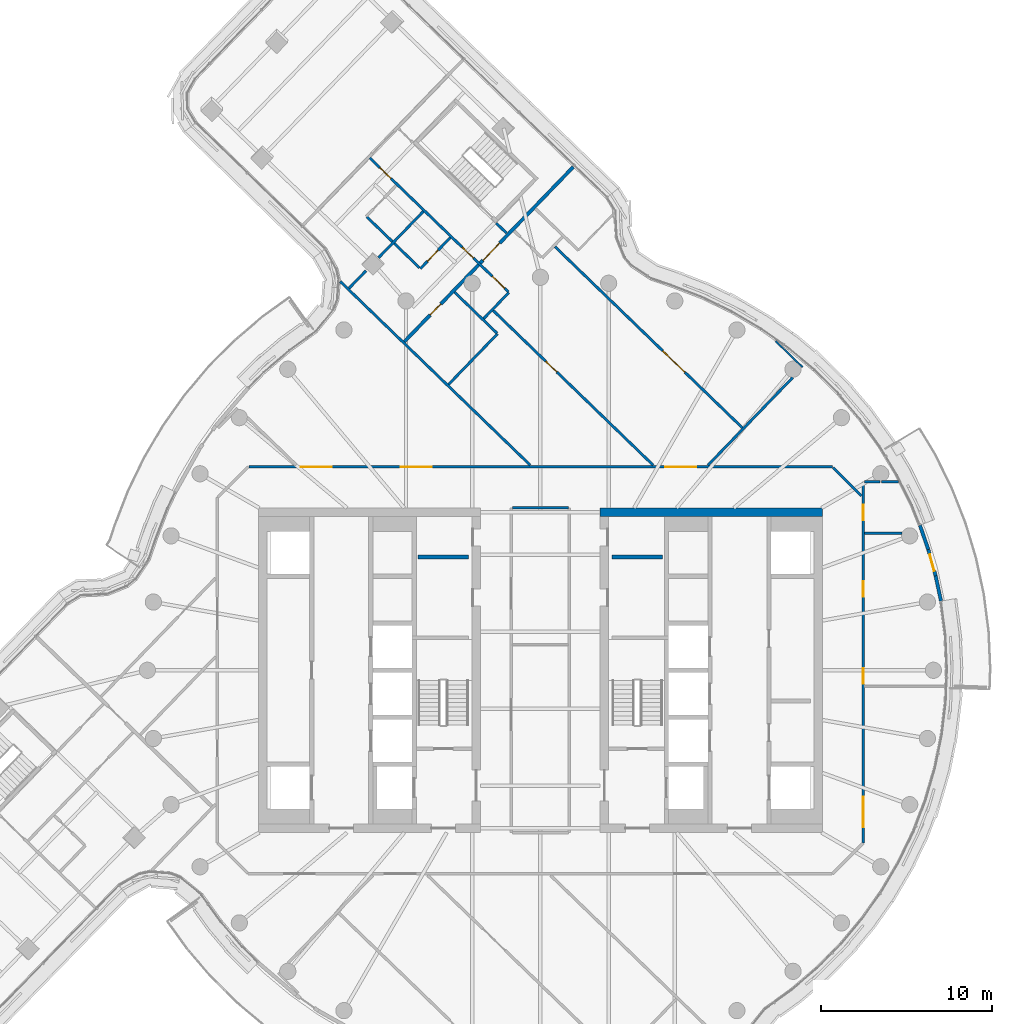
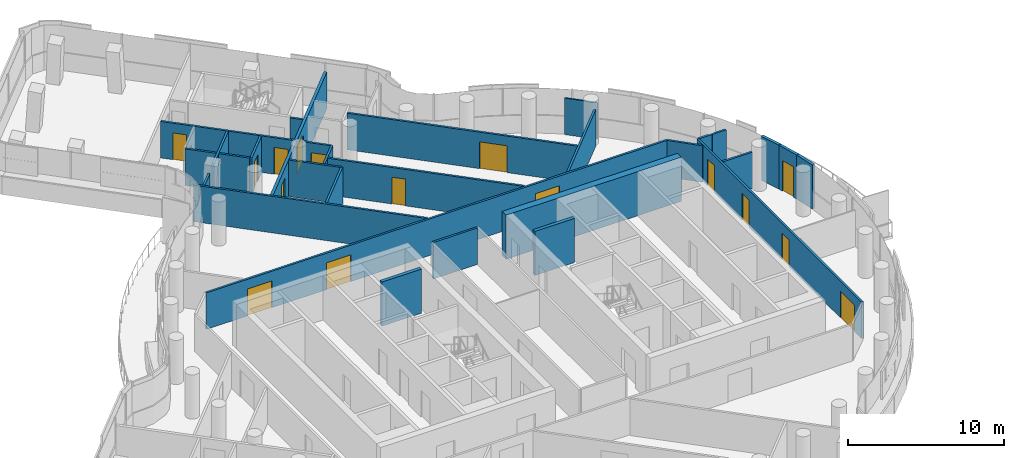
# One storey, part 22 of 31: 28 walls, 16 doors, 16 openings.
"""IFC4 building model written with IfcOpenShell, lengths in metres."""

from ifc_helpers import new_model, si_unit, direction, frame, frame_2d, origin, place, context, subcontext, project, spatial, rectangle, extrude, material, layer, layer_set, type_object, element, fill, save


model = new_model("IFC4")

# Units and contexts
model_context = context("Model", 3, precision=1e-05, world=origin(), true_north=direction((0.0, 1.0)))
body_context = subcontext(model_context, "Body", "Model", "MODEL_VIEW")
ifc_project = project(units=[si_unit("LENGTHUNIT", "METRE"), si_unit("AREAUNIT", "SQUARE_METRE"), si_unit("VOLUMEUNIT", "CUBIC_METRE"), si_unit("PLANEANGLEUNIT", "RADIAN"), si_unit("MASSUNIT", "GRAM", prefix="KILO")], contexts=[model_context])

# Site, building, storey
site_placement = place(None, origin())
site = spatial("IfcSite", under=ifc_project, at=site_placement, CompositionType="ELEMENT")
building_placement = place(site_placement, origin())
building = spatial("IfcBuilding", under=site, at=building_placement, Name="Tamarind Cross Interchange Tower", CompositionType="ELEMENT")
storey_placement = place(building_placement, frame((0.0, 0.0, 200.5)))
storey = spatial("IfcBuildingStorey", under=building, at=storey_placement, Name="L50", CompositionType="ELEMENT", Elevation=200.5)

# Walls
ifc_material_1 = material(Name="Concrete C40", Category="concrete")
ifc_layer_1 = layer(ifc_material_1, 0.199951171875)
ifc_layer_set_1 = layer_set([ifc_layer_1], Name="Concrete C40")
wall_type_1 = type_object("IfcWallType", Name="Balcony and garden door wall", PredefinedType="SOLIDWALL", material=ifc_layer_set_1)
wall_1_placement = place(storey_placement, frame((23.447265625, 4.04931640625, 0.0), z_axis=(0.0, 0.0, 1.0), x_axis=(-0.209319188687, 0.977847369096, 0.0)))
element("IfcWall", 1, at=wall_1_placement, inside=storey, type_object=wall_type_1, Name="EXW-L50-06-D07L", PredefinedType="SOLIDWALL", context=body_context, shape_type="SweptSolid", body=[
    extrude(rectangle(XDim=1.50927734375, YDim=0.199951171875, at=frame_2d((0.754638671875, 0.0))), origin(), (0.0, 0.0, 1.0), 3.4599609375),
])
wall_2_placement = place(storey_placement, frame((22.7021484375, 7.0654296875, 0.0), z_axis=(0.0, 0.0, 1.0), x_axis=(-0.326893678877, 0.945061121151, 0.0)))
element("IfcWall", 2, at=wall_2_placement, inside=storey, type_object=wall_type_1, Name="EXW-L50-06-D07R", PredefinedType="SOLIDWALL", context=body_context, shape_type="SweptSolid", body=[
    extrude(rectangle(XDim=1.5078125, YDim=0.199951171875, at=frame_2d((0.75390625, 0.0))), origin(), (0.0, 0.0, 1.0), 3.4599609375),
])

# Wall, opening, door
wall_3_placement = place(storey_placement, frame((23.13134765625, 5.525146484375, 0.0), z_axis=(0.0, 0.0, 1.0), x_axis=(-0.268423397607, 0.963301032708, 0.0)))
wall_3 = element("IfcWall", 3, at=wall_3_placement, inside=storey, type_object=wall_type_1, Name="EXW-L50-06-D07", PredefinedType="SOLIDWALL", context=body_context, shape_type="SweptSolid", body=[
    extrude(rectangle(XDim=1.598876953125, YDim=0.199951171875, at=frame_2d((0.79931640625, 0.0))), origin(), (0.0, 0.0, 1.0), 3.4599609375),
])
opening_1_placement = place(wall_3_placement, frame((0.299560546875, 0.0, 0.0)))
opening_1 = element("IfcOpeningElement", 4, at=opening_1_placement, cuts=wall_3, Name="Opening D2", PredefinedType="OPENING", context=body_context, shape_type="SweptSolid", body=[
    extrude(rectangle(XDim=1.0, YDim=2.39990234375, at=frame_2d((0.5, 1.199951171875))), frame((0.0, 0.10986328125, 0.0), z_axis=(0.0, -1.0, 0.0), x_axis=(1.0, 0.0, 0.0)), (0.0, 0.0, 1.0), 0.219970703125),
])
ifc_material_2 = material(Name="Aluminium and toughened glass", Category="aluminium")
door_type_1 = type_object("IfcDoorType", Name="Balcony and garden door", OperationType="SINGLE_SWING_LEFT", PredefinedType="DOOR", material=ifc_material_2)
door_1_placement = place(opening_1_placement, origin())
door_1 = element("IfcDoor", 5, at=door_1_placement, inside=storey, type_object=door_type_1, Name="DOR-L50-06-07", OperationType="SINGLE_SWING_LEFT", OverallHeight=2.39990234375, OverallWidth=1.0, PredefinedType="DOOR", context=body_context, shape_type="SweptSolid", body=[
    extrude(rectangle(XDim=1.0, YDim=2.39990234375, at=frame_2d((0.5, 1.199951171875))), frame((0.0, 0.02490234375, 0.0), z_axis=(0.0, -1.0, 0.0), x_axis=(1.0, 0.0, 0.0)), (0.0, 0.0, 1.0), 0.050048828125),
])
fill(opening_1, door_1)

# Walls
ifc_material_3 = material(Name="Concrete C55", Category="concrete")
ifc_layer_2 = layer(ifc_material_3, 0.5)
ifc_layer_set_2 = layer_set([ifc_layer_2], Name="Concrete C55")
wall_type_2 = type_object("IfcWallType", Name="Core wall 500 mm Concrete C55", PredefinedType="SHEAR", material=ifc_layer_set_2)
wall_4_placement = place(storey_placement, frame((16.5, 9.25, 0.0), z_axis=(0.0, 0.0, 1.0), x_axis=(-1.0, 0.0, 0.0)))
element("IfcWall", 6, at=wall_4_placement, inside=storey, type_object=wall_type_2, Name="Core wall CWL-L50-E-NE", PredefinedType="SHEAR", context=body_context, shape_type="SweptSolid", body=[
    extrude(rectangle(XDim=13.0, YDim=0.5, at=frame_2d((6.5, 0.0))), origin(), (0.0, 0.0, 1.0), 3.4599609375),
])
ifc_material_4 = material(Name="Gypsum board partition on steel studs", Category="steel")
ifc_layer_3 = layer(ifc_material_4, 0.10009765625)
ifc_layer_set_3 = layer_set([ifc_layer_3], Name="Gypsum board partition on steel studs")
wall_type_3 = type_object("IfcWallType", Name="Partition 100 mm EI 90", PredefinedType="PARTITIONING", material=ifc_layer_set_3)
wall_5_placement = place(storey_placement, frame((13.772705078125, 19.25732421875, 0.0), z_axis=(0.0, 0.0, 1.0), x_axis=(0.718817623738, -0.695198693758, 0.0)))
element("IfcWall", 7, at=wall_5_placement, inside=storey, type_object=wall_type_3, Name="Partition L50-027", PredefinedType="PARTITIONING", context=body_context, shape_type="SweptSolid", body=[
    extrude(rectangle(XDim=2.19140625, YDim=0.10009765625, at=frame_2d((1.095703125, 0.0))), origin(), (0.0, 0.0, 1.0), 2.864013671875),
])
ifc_layer_4 = layer(ifc_material_4, 0.14990234375)
ifc_layer_set_4 = layer_set([ifc_layer_4], Name="Gypsum board partition on steel studs")
wall_type_4 = type_object("IfcWallType", Name="Partition 150 mm EI 120", PredefinedType="PARTITIONING", material=ifc_layer_set_4)
wall_6_placement = place(storey_placement, frame((17.12841796875, 11.87158203125, 0.0), z_axis=(0.0, 0.0, 1.0), x_axis=(0.707106781187, -0.707106781187, 0.0)))
element("IfcWall", 8, at=wall_6_placement, inside=storey, type_object=wall_type_4, Name="Partition L50-002", PredefinedType="PARTITIONING", context=body_context, shape_type="SweptSolid", body=[
    extrude(rectangle(XDim=2.350341796875, YDim=0.14990234375, at=frame_2d((1.17529296875, 0.0))), origin(), (0.0, 0.0, 1.0), 2.864013671875),
])
wall_7_placement = place(storey_placement, frame((-11.709716796875, 22.749755859375, 0.0), z_axis=(0.0, 0.0, 1.0), x_axis=(0.718952314135, -0.695059400339, 0.0)))
element("IfcWall", 9, at=wall_7_placement, inside=storey, type_object=wall_type_4, Name="Partition L50-010", PredefinedType="PARTITIONING", context=body_context, shape_type="SweptSolid", body=[
    extrude(rectangle(XDim=15.44970703125, YDim=0.14990234375, at=frame_2d((7.724853515625, 0.0))), origin(), (0.0, 0.0, 1.0), 2.864013671875),
])
wall_8_placement = place(storey_placement, frame((-10.1611328125, 26.5380859375, 0.0), z_axis=(0.0, 0.0, 1.0), x_axis=(0.718829873251, -0.695186027852, 0.0)))
element("IfcWall", 10, at=wall_8_placement, inside=storey, type_object=wall_type_4, Name="Partition L50-011", PredefinedType="PARTITIONING", context=body_context, shape_type="SweptSolid", body=[
    extrude(rectangle(XDim=4.28515625, YDim=0.14990234375, at=frame_2d((2.142578125, 0.0))), origin(), (0.0, 0.0, 1.0), 2.864013671875),
])

# Wall, openings, doors
wall_9_placement = place(storey_placement, frame((-9.9794921875, 29.977294921875, 0.0), z_axis=(0.0, 0.0, 1.0), x_axis=(0.719187723666, -0.694815815975, 0.0)))
wall_9 = element("IfcWall", 11, at=wall_9_placement, inside=storey, type_object=wall_type_4, Name="Partition L50-012", PredefinedType="PARTITIONING", context=body_context, shape_type="SweptSolid", body=[
    extrude(rectangle(XDim=11.279541015625, YDim=0.14990234375, at=frame_2d((5.6396484375, 0.0))), origin(), (0.0, 0.0, 1.0), 2.864013671875),
])
opening_2_placement = place(wall_9_placement, frame((9.969970703125, 0.0, 0.0)))
opening_2 = element("IfcOpeningElement", 12, at=opening_2_placement, cuts=wall_9, Name="Opening D05", PredefinedType="OPENING", context=body_context, shape_type="SweptSolid", body=[
    extrude(rectangle(XDim=1.0, YDim=2.10009765625, at=frame_2d((0.5, 1.050048828125))), frame((0.0, 0.0849609375, 0.0), z_axis=(0.0, -1.0, 0.0), x_axis=(1.0, 0.0, 0.0)), (0.0, 0.0, 1.0), 0.169921875),
])
opening_3_placement = place(wall_9_placement, frame((7.519287109375, 0.0, 0.0)))
opening_3 = element("IfcOpeningElement", 13, at=opening_3_placement, cuts=wall_9, Name="Opening D06", PredefinedType="OPENING", context=body_context, shape_type="SweptSolid", body=[
    extrude(rectangle(XDim=0.89990234375, YDim=2.10009765625, at=frame_2d((0.449951171875, 1.050048828125))), frame((0.0, 0.0849609375, 0.0), z_axis=(0.0, -1.0, 0.0), x_axis=(1.0, 0.0, 0.0)), (0.0, 0.0, 1.0), 0.169921875),
])
opening_4_placement = place(wall_9_placement, frame((0.820068359375, 0.0, 0.0)))
opening_4 = element("IfcOpeningElement", 14, at=opening_4_placement, cuts=wall_9, Name="Opening D07", PredefinedType="OPENING", context=body_context, shape_type="SweptSolid", body=[
    extrude(rectangle(XDim=0.89990234375, YDim=2.10009765625, at=frame_2d((0.449951171875, 1.050048828125))), frame((0.0, 0.0849609375, 0.0), z_axis=(0.0, -1.0, 0.0), x_axis=(1.0, 0.0, 0.0)), (0.0, 0.0, 1.0), 0.169921875),
])
ifc_material_5 = material(Name="Fire-resisting door set")
door_type_2 = type_object("IfcDoorType", Name="Interior door 1000 x 2100 FD60S", OperationType="SINGLE_SWING_LEFT", PredefinedType="DOOR", material=ifc_material_5)
door_2_placement = place(opening_2_placement, frame((1.0, 0.0, 0.0), z_axis=(0.0, 0.0, 1.0), x_axis=(-1.0, 0.0, 0.0)))
door_2 = element("IfcDoor", 15, at=door_2_placement, inside=storey, type_object=door_type_2, Name="Door D05", OperationType="SINGLE_SWING_RIGHT", OverallHeight=2.10009765625, OverallWidth=1.0, PredefinedType="DOOR", context=body_context, shape_type="SweptSolid", body=[
    extrude(rectangle(XDim=1.0, YDim=2.10009765625, at=frame_2d((0.5, 1.050048828125))), frame((0.0, 0.02490234375, 0.0), z_axis=(0.0, -1.0, 0.0), x_axis=(1.0, 0.0, 0.0)), (0.0, 0.0, 1.0), 0.050048828125),
])
fill(opening_2, door_2)
door_type_3 = type_object("IfcDoorType", Name="Interior door 900 x 2100 FD60S", OperationType="SINGLE_SWING_LEFT", PredefinedType="DOOR", material=ifc_material_5)
door_3_placement = place(opening_3_placement, frame((0.89990234375, 0.0, 0.0), z_axis=(0.0, 0.0, 1.0), x_axis=(-1.0, 0.0, 0.0)))
door_3 = element("IfcDoor", 16, at=door_3_placement, inside=storey, type_object=door_type_3, Name="Door D06", OperationType="SINGLE_SWING_RIGHT", OverallHeight=2.10009765625, OverallWidth=0.89990234375, PredefinedType="DOOR", context=body_context, shape_type="SweptSolid", body=[
    extrude(rectangle(XDim=0.89990234375, YDim=2.10009765625, at=frame_2d((0.449951171875, 1.050048828125))), frame((0.0, 0.02490234375, 0.0), z_axis=(0.0, -1.0, 0.0), x_axis=(1.0, 0.0, 0.0)), (0.0, 0.0, 1.0), 0.050048828125),
])
fill(opening_3, door_3)
door_4_placement = place(opening_4_placement, frame((0.89990234375, 0.0, 0.0), z_axis=(0.0, 0.0, 1.0), x_axis=(-1.0, 0.0, 0.0)))
door_4 = element("IfcDoor", 17, at=door_4_placement, inside=storey, type_object=door_type_3, Name="Door D07", OperationType="SINGLE_SWING_LEFT", OverallHeight=2.10009765625, OverallWidth=0.89990234375, PredefinedType="DOOR", context=body_context, shape_type="SweptSolid", body=[
    extrude(rectangle(XDim=0.89990234375, YDim=2.10009765625, at=frame_2d((0.449951171875, 1.050048828125))), frame((0.0, 0.02490234375, 0.0), z_axis=(0.0, -1.0, 0.0), x_axis=(1.0, 0.0, 0.0)), (0.0, 0.0, 1.0), 0.050048828125),
])
fill(opening_4, door_4)

# Walls
wall_10_placement = place(storey_placement, frame((-2.58837890625, 26.17138671875, 0.0), z_axis=(0.0, 0.0, 1.0), x_axis=(0.718920607155, -0.695092195761, 0.0)))
element("IfcWall", 18, at=wall_10_placement, inside=storey, type_object=wall_type_4, Name="Partition L50-014", PredefinedType="PARTITIONING", context=body_context, shape_type="SweptSolid", body=[
    extrude(rectangle(XDim=0.840087890625, YDim=0.14990234375, at=frame_2d((0.419921875, 0.0))), origin(), (0.0, 0.0, 1.0), 2.864013671875),
])
wall_11_placement = place(storey_placement, frame((-5.023193359375, 22.12744140625, 0.0), z_axis=(0.0, 0.0, 1.0), x_axis=(0.718790912946, -0.695226310971, 0.0)))
element("IfcWall", 19, at=wall_11_placement, inside=storey, type_object=wall_type_4, Name="Partition L50-016", PredefinedType="PARTITIONING", context=body_context, shape_type="SweptSolid", body=[
    extrude(rectangle(XDim=3.46044921875, YDim=0.14990234375, at=frame_2d((1.730224609375, 0.0))), origin(), (0.0, 0.0, 1.0), 2.864013671875),
])

# Wall, opening, door
wall_12_placement = place(storey_placement, frame((-2.756591796875, 21.04833984375, 0.0), z_axis=(0.0, 0.0, 1.0), x_axis=(0.718984622922, -0.695025979371, 0.0)))
wall_12 = element("IfcWall", 20, at=wall_12_placement, inside=storey, type_object=wall_type_4, Name="Partition L50-017", PredefinedType="PARTITIONING", context=body_context, shape_type="SweptSolid", body=[
    extrude(rectangle(XDim=13.00244140625, YDim=0.14990234375, at=frame_2d((6.501220703125, 0.0))), origin(), (0.0, 0.0, 1.0), 2.864013671875),
])
opening_5_placement = place(wall_12_placement, frame((4.27001953125, 0.0, 0.0)))
opening_5 = element("IfcOpeningElement", 21, at=opening_5_placement, cuts=wall_12, Name="Opening D10", PredefinedType="OPENING", context=body_context, shape_type="SweptSolid", body=[
    extrude(rectangle(XDim=0.89990234375, YDim=2.10009765625, at=frame_2d((0.449951171875, 1.050048828125))), frame((0.0, 0.0849609375, 0.0), z_axis=(0.0, -1.0, 0.0), x_axis=(1.0, 0.0, 0.0)), (0.0, 0.0, 1.0), 0.169921875),
])
door_5_placement = place(opening_5_placement, frame((0.89990234375, 0.0, 0.0), z_axis=(0.0, 0.0, 1.0), x_axis=(-1.0, 0.0, 0.0)))
door_5 = element("IfcDoor", 22, at=door_5_placement, inside=storey, type_object=door_type_3, Name="Door D10", OperationType="SINGLE_SWING_LEFT", OverallHeight=2.10009765625, OverallWidth=0.89990234375, PredefinedType="DOOR", context=body_context, shape_type="SweptSolid", body=[
    extrude(rectangle(XDim=0.89990234375, YDim=2.10009765625, at=frame_2d((0.449951171875, 1.050048828125))), frame((0.0, 0.02490234375, 0.0), z_axis=(0.0, -1.0, 0.0), x_axis=(1.0, 0.0, 0.0)), (0.0, 0.0, 1.0), 0.050048828125),
])
fill(opening_5, door_5)

wall_13_placement = place(storey_placement, frame((0.857421875, 24.787353515625, 0.0), z_axis=(0.0, 0.0, 1.0), x_axis=(0.718987308742, -0.695023200956, 0.0)))
wall_13 = element("IfcWall", 23, at=wall_13_placement, inside=storey, type_object=wall_type_4, Name="Partition L50-021", PredefinedType="PARTITIONING", context=body_context, shape_type="SweptSolid", body=[
    extrude(rectangle(XDim=15.240966796875, YDim=0.14990234375, at=frame_2d((7.62060546875, 0.0))), origin(), (0.0, 0.0, 1.0), 2.864013671875),
])
opening_6_placement = place(wall_13_placement, frame((8.77001953125, 0.0, 0.0)))
opening_6 = element("IfcOpeningElement", 24, at=opening_6_placement, cuts=wall_13, Name="Opening D12", PredefinedType="OPENING", context=body_context, shape_type="SweptSolid", body=[
    extrude(rectangle(XDim=1.800048828125, YDim=2.10009765625, at=frame_2d((0.89990234375, 1.050048828125))), frame((0.0, 0.0849609375, 0.0), z_axis=(0.0, -1.0, 0.0), x_axis=(1.0, 0.0, 0.0)), (0.0, 0.0, 1.0), 0.169921875),
])
door_type_4 = type_object("IfcDoorType", Name="Interior door 1800 x 2100 FD60S", OperationType="DOUBLE_DOOR_SINGLE_SWING", PredefinedType="DOOR", material=ifc_material_5)
door_6_placement = place(opening_6_placement, origin())
door_6 = element("IfcDoor", 25, at=door_6_placement, inside=storey, type_object=door_type_4, Name="Door D12", OperationType="DOUBLE_DOOR_SINGLE_SWING", OverallHeight=2.10009765625, OverallWidth=1.800048828125, PredefinedType="DOOR", context=body_context, shape_type="SweptSolid", body=[
    extrude(rectangle(XDim=1.800048828125, YDim=2.10009765625, at=frame_2d((0.89990234375, 1.050048828125))), frame((0.0, 0.02490234375, 0.0), z_axis=(0.0, -1.0, 0.0), x_axis=(1.0, 0.0, 0.0)), (0.0, 0.0, 1.0), 0.050048828125),
])
fill(opening_6, door_6)

# Wall, openings, doors
wall_14_placement = place(storey_placement, frame((-17.06494140625, 11.89990234375, 0.0), z_axis=(0.0, 0.0, 1.0), x_axis=(1.0, 0.0, 0.0)))
wall_14 = element("IfcWall", 26, at=wall_14_placement, inside=storey, type_object=wall_type_4, Name="Partition L50-029", PredefinedType="PARTITIONING", context=body_context, shape_type="SweptSolid", body=[
    extrude(rectangle(XDim=34.1650390625, YDim=0.14990234375, at=frame_2d((17.08251953125, 0.0))), origin(), (0.0, 0.0, 1.0), 2.864013671875),
])
opening_7_placement = place(wall_14_placement, frame((24.3720703125, 0.0, 0.0)))
opening_7 = element("IfcOpeningElement", 27, at=opening_7_placement, cuts=wall_14, Name="Opening D20", PredefinedType="OPENING", context=body_context, shape_type="SweptSolid", body=[
    extrude(rectangle(XDim=1.800048828125, YDim=2.10009765625, at=frame_2d((0.89990234375, 1.050048828125))), frame((0.0, 0.0849609375, 0.0), z_axis=(0.0, -1.0, 0.0), x_axis=(1.0, 0.0, 0.0)), (0.0, 0.0, 1.0), 0.169921875),
])
opening_8_placement = place(wall_14_placement, frame((8.89794921875, 0.0, 0.0)))
opening_8 = element("IfcOpeningElement", 28, at=opening_8_placement, cuts=wall_14, Name="Opening D21", PredefinedType="OPENING", context=body_context, shape_type="SweptSolid", body=[
    extrude(rectangle(XDim=1.800048828125, YDim=2.10009765625, at=frame_2d((0.89990234375, 1.050048828125))), frame((0.0, 0.0849609375, 0.0), z_axis=(0.0, -1.0, 0.0), x_axis=(1.0, 0.0, 0.0)), (0.0, 0.0, 1.0), 0.169921875),
])
opening_9_placement = place(wall_14_placement, frame((3.048095703125, 0.0, 0.0)))
opening_9 = element("IfcOpeningElement", 29, at=opening_9_placement, cuts=wall_14, Name="Opening D22", PredefinedType="OPENING", context=body_context, shape_type="SweptSolid", body=[
    extrude(rectangle(XDim=1.800048828125, YDim=2.10009765625, at=frame_2d((0.89990234375, 1.050048828125))), frame((0.0, 0.0849609375, 0.0), z_axis=(0.0, -1.0, 0.0), x_axis=(1.0, 0.0, 0.0)), (0.0, 0.0, 1.0), 0.169921875),
])
door_7_placement = place(opening_7_placement, frame((1.800048828125, 0.0, 0.0), z_axis=(0.0, 0.0, 1.0), x_axis=(-1.0, 0.0, 0.0)))
door_7 = element("IfcDoor", 30, at=door_7_placement, inside=storey, type_object=door_type_4, Name="Door D20", OperationType="DOUBLE_DOOR_SINGLE_SWING", OverallHeight=2.10009765625, OverallWidth=1.800048828125, PredefinedType="DOOR", context=body_context, shape_type="SweptSolid", body=[
    extrude(rectangle(XDim=1.800048828125, YDim=2.10009765625, at=frame_2d((0.89990234375, 1.050048828125))), frame((0.0, 0.02490234375, 0.0), z_axis=(0.0, -1.0, 0.0), x_axis=(1.0, 0.0, 0.0)), (0.0, 0.0, 1.0), 0.050048828125),
])
fill(opening_7, door_7)
door_8_placement = place(opening_8_placement, origin())
door_8 = element("IfcDoor", 31, at=door_8_placement, inside=storey, type_object=door_type_4, Name="Door D21", OperationType="DOUBLE_DOOR_SINGLE_SWING", OverallHeight=2.10009765625, OverallWidth=1.800048828125, PredefinedType="DOOR", context=body_context, shape_type="SweptSolid", body=[
    extrude(rectangle(XDim=1.800048828125, YDim=2.10009765625, at=frame_2d((0.89990234375, 1.050048828125))), frame((0.0, 0.02490234375, 0.0), z_axis=(0.0, -1.0, 0.0), x_axis=(1.0, 0.0, 0.0)), (0.0, 0.0, 1.0), 0.050048828125),
])
fill(opening_8, door_8)
door_9_placement = place(opening_9_placement, origin())
door_9 = element("IfcDoor", 32, at=door_9_placement, inside=storey, type_object=door_type_4, Name="Door D22", OperationType="DOUBLE_DOOR_SINGLE_SWING", OverallHeight=2.10009765625, OverallWidth=1.800048828125, PredefinedType="DOOR", context=body_context, shape_type="SweptSolid", body=[
    extrude(rectangle(XDim=1.800048828125, YDim=2.10009765625, at=frame_2d((0.89990234375, 1.050048828125))), frame((0.0, 0.02490234375, 0.0), z_axis=(0.0, -1.0, 0.0), x_axis=(1.0, 0.0, 0.0)), (0.0, 0.0, 1.0), 0.050048828125),
])
fill(opening_9, door_9)

# Walls
wall_15_placement = place(storey_placement, frame((-1.639892578125, 9.5, 0.0), z_axis=(0.0, 0.0, 1.0), x_axis=(1.0, 0.0, 0.0)))
element("IfcWall", 33, at=wall_15_placement, inside=storey, type_object=wall_type_4, Name="Partition L50-032", PredefinedType="PARTITIONING", context=body_context, shape_type="SweptSolid", body=[
    extrude(rectangle(XDim=3.27978515625, YDim=0.14990234375, at=frame_2d((1.639892578125, 0.0))), origin(), (0.0, 0.0, 1.0), 2.864013671875),
])
wall_16_placement = place(storey_placement, frame((18.955078125, 8.02392578125, 0.0), z_axis=(0.0, 0.0, 1.0), x_axis=(1.0, 0.0, 0.0)))
element("IfcWall", 34, at=wall_16_placement, inside=storey, type_object=wall_type_4, Name="Partition L50-034", PredefinedType="PARTITIONING", context=body_context, shape_type="SweptSolid", body=[
    extrude(rectangle(XDim=2.215087890625, YDim=0.14990234375, at=frame_2d((1.107421875, 0.0))), origin(), (0.0, 0.0, 1.0), 2.864013671875),
])
wall_17_placement = place(storey_placement, frame((18.955078125, 11.02392578125, 0.0), z_axis=(0.0, 0.0, 1.0), x_axis=(1.0, 0.0, 0.0)))
element("IfcWall", 35, at=wall_17_placement, inside=storey, type_object=wall_type_4, Name="Partition L50-035", PredefinedType="PARTITIONING", context=body_context, shape_type="SweptSolid", body=[
    extrude(rectangle(XDim=0.929931640625, YDim=0.14990234375, at=frame_2d((0.46484375, 0.0))), origin(), (0.0, 0.0, 1.0), 2.864013671875),
])
wall_18_placement = place(storey_placement, frame((19.9521484375, 11.02392578125, 0.0), z_axis=(0.0, 0.0, 1.0), x_axis=(1.0, 0.0, 0.0)))
element("IfcWall", 36, at=wall_18_placement, inside=storey, type_object=wall_type_4, Name="Partition L50-036", PredefinedType="PARTITIONING", context=body_context, shape_type="SweptSolid", body=[
    extrude(rectangle(XDim=1.007568359375, YDim=0.14990234375, at=frame_2d((0.50390625, 0.0))), origin(), (0.0, 0.0, 1.0), 2.864013671875),
])
wall_19_placement = place(storey_placement, frame((-11.1943359375, 22.361572265625, 0.0), z_axis=(0.0, 0.0, 1.0), x_axis=(0.69492396257, 0.71908322623, 0.0)))
element("IfcWall", 37, at=wall_19_placement, inside=storey, type_object=wall_type_4, Name="Partition L50-048", PredefinedType="PARTITIONING", context=body_context, shape_type="SweptSolid", body=[
    extrude(rectangle(XDim=1.414794921875, YDim=0.14990234375, at=frame_2d((0.70751953125, 0.0))), origin(), (0.0, 0.0, 1.0), 2.864013671875),
])
wall_20_placement = place(storey_placement, frame((-9.472900390625, 24.14306640625, 0.0), z_axis=(0.0, 0.0, 1.0), x_axis=(0.694902457079, 0.719104008572, 0.0)))
element("IfcWall", 38, at=wall_20_placement, inside=storey, type_object=wall_type_4, Name="Partition L50-049", PredefinedType="PARTITIONING", context=body_context, shape_type="SweptSolid", body=[
    extrude(rectangle(XDim=3.7626953125, YDim=0.14990234375, at=frame_2d((1.88134765625, 0.0))), origin(), (0.0, 0.0, 1.0), 2.864013671875),
])

# Wall, opening, door
wall_21_placement = place(storey_placement, frame((-7.027099609375, 23.507080078125, 0.0), z_axis=(0.0, 0.0, 1.0), x_axis=(0.694895234989, 0.719110987532, 0.0)))
wall_21 = element("IfcWall", 39, at=wall_21_placement, inside=storey, type_object=wall_type_4, Name="Partition L50-052", PredefinedType="PARTITIONING", context=body_context, shape_type="SweptSolid", body=[
    extrude(rectangle(XDim=2.5205078125, YDim=0.14990234375, at=frame_2d((1.26025390625, 0.0))), origin(), (0.0, 0.0, 1.0), 2.864013671875),
])
opening_10_placement = place(wall_21_placement, frame((0.60009765625, 0.0, 0.0)))
opening_10 = element("IfcOpeningElement", 40, at=opening_10_placement, cuts=wall_21, Name="Opening D30", PredefinedType="OPENING", context=body_context, shape_type="SweptSolid", body=[
    extrude(rectangle(XDim=0.89990234375, YDim=2.10009765625, at=frame_2d((0.449951171875, 1.050048828125))), frame((0.0, 0.0849609375, 0.0), z_axis=(0.0, -1.0, 0.0), x_axis=(1.0, 0.0, 0.0)), (0.0, 0.0, 1.0), 0.169921875),
])
door_10_placement = place(opening_10_placement, origin())
door_10 = element("IfcDoor", 41, at=door_10_placement, inside=storey, type_object=door_type_3, Name="Door D30", OperationType="SINGLE_SWING_RIGHT", OverallHeight=2.10009765625, OverallWidth=0.89990234375, PredefinedType="DOOR", context=body_context, shape_type="SweptSolid", body=[
    extrude(rectangle(XDim=0.89990234375, YDim=2.10009765625, at=frame_2d((0.449951171875, 1.050048828125))), frame((0.0, 0.02490234375, 0.0), z_axis=(0.0, -1.0, 0.0), x_axis=(1.0, 0.0, 0.0)), (0.0, 0.0, 1.0), 0.050048828125),
])
fill(opening_10, door_10)

# Walls
wall_22_placement = place(storey_placement, frame((-5.370361328125, 16.732421875, 0.0), z_axis=(0.0, 0.0, 1.0), x_axis=(0.695063966074, 0.718947900106, 0.0)))
element("IfcWall", 42, at=wall_22_placement, inside=storey, type_object=wall_type_4, Name="Partition L50-053", PredefinedType="PARTITIONING", context=body_context, shape_type="SweptSolid", body=[
    extrude(rectangle(XDim=4.119384765625, YDim=0.14990234375, at=frame_2d((2.0595703125, 0.0))), origin(), (0.0, 0.0, 1.0), 2.864013671875),
])
wall_23_placement = place(storey_placement, frame((-3.314453125, 20.585693359375, 0.0), z_axis=(0.0, 0.0, 1.0), x_axis=(0.694502029341, 0.719490744375, 0.0)))
element("IfcWall", 43, at=wall_23_placement, inside=storey, type_object=wall_type_4, Name="Partition L50-055", PredefinedType="PARTITIONING", context=body_context, shape_type="SweptSolid", body=[
    extrude(rectangle(XDim=2.1201171875, YDim=0.14990234375, at=frame_2d((1.06005859375, 0.0))), origin(), (0.0, 0.0, 1.0), 2.864013671875),
])
wall_24_placement = place(storey_placement, frame((9.812255859375, 12.0078125, 0.0), z_axis=(0.0, 0.0, 1.0), x_axis=(0.695134111226, 0.718880078601, 0.0)))
element("IfcWall", 44, at=wall_24_placement, inside=storey, type_object=wall_type_4, Name="Partition L50-067", PredefinedType="PARTITIONING", context=body_context, shape_type="SweptSolid", body=[
    extrude(rectangle(XDim=7.13525390625, YDim=0.14990234375, at=frame_2d((3.567626953125, 0.0))), origin(), (0.0, 0.0, 1.0), 2.864013671875),
])

# Wall, openings, doors
wall_25_placement = place(storey_placement, frame((18.89990234375, -10.10009765625, 0.0), z_axis=(0.0, 0.0, 1.0), x_axis=(0.0, 1.0, 0.0)))
wall_25 = element("IfcWall", 45, at=wall_25_placement, inside=storey, type_object=wall_type_4, Name="Partition L50-071", PredefinedType="PARTITIONING", context=body_context, shape_type="SweptSolid", body=[
    extrude(rectangle(XDim=21.1240234375, YDim=0.14990234375, at=frame_2d((10.56201171875, 0.0))), origin(), (0.0, 0.0, 1.0), 2.864013671875),
])
opening_11_placement = place(wall_25_placement, frame((18.8740234375, 0.0, 0.0)))
opening_11 = element("IfcOpeningElement", 46, at=opening_11_placement, cuts=wall_25, Name="Opening D41", PredefinedType="OPENING", context=body_context, shape_type="SweptSolid", body=[
    extrude(rectangle(XDim=0.89990234375, YDim=2.10009765625, at=frame_2d((0.449951171875, 1.050048828125))), frame((0.0, 0.0849609375, 0.0), z_axis=(0.0, -1.0, 0.0), x_axis=(1.0, 0.0, 0.0)), (0.0, 0.0, 1.0), 0.169921875),
])
opening_12_placement = place(wall_25_placement, frame((0.89990234375, 0.0, 0.0)))
opening_12 = element("IfcOpeningElement", 47, at=opening_12_placement, cuts=wall_25, Name="Opening D42", PredefinedType="OPENING", context=body_context, shape_type="SweptSolid", body=[
    extrude(rectangle(XDim=1.800048828125, YDim=2.10009765625, at=frame_2d((0.89990234375, 1.050048828125))), frame((0.0, 0.0849609375, 0.0), z_axis=(0.0, -1.0, 0.0), x_axis=(1.0, 0.0, 0.0)), (0.0, 0.0, 1.0), 0.169921875),
])
opening_13_placement = place(wall_25_placement, frame((14.41796875, 0.0, 0.0)))
opening_13 = element("IfcOpeningElement", 48, at=opening_13_placement, cuts=wall_25, Name="Opening D43", PredefinedType="OPENING", context=body_context, shape_type="SweptSolid", body=[
    extrude(rectangle(XDim=0.89990234375, YDim=2.10009765625, at=frame_2d((0.449951171875, 1.050048828125))), frame((0.0, 0.0849609375, 0.0), z_axis=(0.0, -1.0, 0.0), x_axis=(1.0, 0.0, 0.0)), (0.0, 0.0, 1.0), 0.169921875),
])
opening_14_placement = place(wall_25_placement, frame((9.318115234375, 0.0, 0.0)))
opening_14 = element("IfcOpeningElement", 49, at=opening_14_placement, cuts=wall_25, Name="Opening D44", PredefinedType="OPENING", context=body_context, shape_type="SweptSolid", body=[
    extrude(rectangle(XDim=0.89990234375, YDim=2.10009765625, at=frame_2d((0.449951171875, 1.050048828125))), frame((0.0, 0.0849609375, 0.0), z_axis=(0.0, -1.0, 0.0), x_axis=(1.0, 0.0, 0.0)), (0.0, 0.0, 1.0), 0.169921875),
])
door_11_placement = place(opening_12_placement, frame((1.800048828125, 0.0, 0.0), z_axis=(0.0, 0.0, 1.0), x_axis=(-1.0, 0.0, 0.0)))
door_11 = element("IfcDoor", 50, at=door_11_placement, inside=storey, type_object=door_type_4, Name="Door D42", OperationType="DOUBLE_DOOR_SINGLE_SWING", OverallHeight=2.10009765625, OverallWidth=1.800048828125, PredefinedType="DOOR", context=body_context, shape_type="SweptSolid", body=[
    extrude(rectangle(XDim=1.800048828125, YDim=2.10009765625, at=frame_2d((0.89990234375, 1.050048828125))), frame((0.0, 0.02490234375, 0.0), z_axis=(0.0, -1.0, 0.0), x_axis=(1.0, 0.0, 0.0)), (0.0, 0.0, 1.0), 0.050048828125),
])
fill(opening_12, door_11)
door_12_placement = place(opening_11_placement, frame((0.89990234375, 0.0, 0.0), z_axis=(0.0, 0.0, 1.0), x_axis=(-1.0, 0.0, 0.0)))
door_12 = element("IfcDoor", 51, at=door_12_placement, inside=storey, type_object=door_type_3, Name="Door D41", OperationType="SINGLE_SWING_RIGHT", OverallHeight=2.10009765625, OverallWidth=0.89990234375, PredefinedType="DOOR", context=body_context, shape_type="SweptSolid", body=[
    extrude(rectangle(XDim=0.89990234375, YDim=2.10009765625, at=frame_2d((0.449951171875, 1.050048828125))), frame((0.0, 0.02490234375, 0.0), z_axis=(0.0, -1.0, 0.0), x_axis=(1.0, 0.0, 0.0)), (0.0, 0.0, 1.0), 0.050048828125),
])
fill(opening_11, door_12)
door_13_placement = place(opening_13_placement, frame((0.89990234375, 0.0, 0.0), z_axis=(0.0, 0.0, 1.0), x_axis=(-1.0, 0.0, 0.0)))
door_13 = element("IfcDoor", 52, at=door_13_placement, inside=storey, type_object=door_type_3, Name="Door D43", OperationType="SINGLE_SWING_RIGHT", OverallHeight=2.10009765625, OverallWidth=0.89990234375, PredefinedType="DOOR", context=body_context, shape_type="SweptSolid", body=[
    extrude(rectangle(XDim=0.89990234375, YDim=2.10009765625, at=frame_2d((0.449951171875, 1.050048828125))), frame((0.0, 0.02490234375, 0.0), z_axis=(0.0, -1.0, 0.0), x_axis=(1.0, 0.0, 0.0)), (0.0, 0.0, 1.0), 0.050048828125),
])
fill(opening_13, door_13)
door_14_placement = place(opening_14_placement, frame((0.89990234375, 0.0, 0.0), z_axis=(0.0, 0.0, 1.0), x_axis=(-1.0, 0.0, 0.0)))
door_14 = element("IfcDoor", 53, at=door_14_placement, inside=storey, type_object=door_type_3, Name="Door D44", OperationType="SINGLE_SWING_LEFT", OverallHeight=2.10009765625, OverallWidth=0.89990234375, PredefinedType="DOOR", context=body_context, shape_type="SweptSolid", body=[
    extrude(rectangle(XDim=0.89990234375, YDim=2.10009765625, at=frame_2d((0.449951171875, 1.050048828125))), frame((0.0, 0.02490234375, 0.0), z_axis=(0.0, -1.0, 0.0), x_axis=(1.0, 0.0, 0.0)), (0.0, 0.0, 1.0), 0.050048828125),
])
fill(opening_14, door_14)

ifc_layer_5 = layer(ifc_material_4, 0.199951171875)
ifc_layer_set_5 = layer_set([ifc_layer_5], Name="Gypsum board partition on steel studs")
wall_type_5 = type_object("IfcWallType", Name="Partition 200 mm EI 180", PredefinedType="PARTITIONING", material=ifc_layer_set_5)
wall_26_placement = place(storey_placement, frame((-7.95849609375, 19.234619140625, 0.0), z_axis=(0.0, 0.0, 1.0), x_axis=(0.694993988342, 0.719015546542, 0.0)))
wall_26 = element("IfcWall", 54, at=wall_26_placement, inside=storey, type_object=wall_type_5, Name="Partition L50-051", PredefinedType="PARTITIONING", context=body_context, shape_type="SweptSolid", body=[
    extrude(rectangle(XDim=14.218505859375, YDim=0.199951171875, at=frame_2d((7.109375, 0.0))), origin(), (0.0, 0.0, 1.0), 2.864013671875),
])
opening_15_placement = place(wall_26_placement, frame((6.619384765625, 0.0, 0.0)))
opening_15 = element("IfcOpeningElement", 55, at=opening_15_placement, cuts=wall_26, Name="Opening D28", PredefinedType="OPENING", context=body_context, shape_type="SweptSolid", body=[
    extrude(rectangle(XDim=1.39990234375, YDim=2.10009765625, at=frame_2d((0.699951171875, 1.050048828125))), frame((0.0, 0.10986328125, 0.0), z_axis=(0.0, -1.0, 0.0), x_axis=(1.0, 0.0, 0.0)), (0.0, 0.0, 1.0), 0.219970703125),
])
opening_16_placement = place(wall_26_placement, frame((2.169921875, 0.0, 0.0)))
opening_16 = element("IfcOpeningElement", 56, at=opening_16_placement, cuts=wall_26, Name="Opening D29", PredefinedType="OPENING", context=body_context, shape_type="SweptSolid", body=[
    extrude(rectangle(XDim=0.89990234375, YDim=2.10009765625, at=frame_2d((0.449951171875, 1.050048828125))), frame((0.0, 0.10986328125, 0.0), z_axis=(0.0, -1.0, 0.0), x_axis=(1.0, 0.0, 0.0)), (0.0, 0.0, 1.0), 0.219970703125),
])
door_type_5 = type_object("IfcDoorType", Name="Interior door 1400 x 2100 FD120S", OperationType="DOUBLE_DOOR_SINGLE_SWING", PredefinedType="DOOR", material=ifc_material_5)
door_15_placement = place(opening_15_placement, frame((1.39990234375, 0.0, 0.0), z_axis=(0.0, 0.0, 1.0), x_axis=(-1.0, 0.0, 0.0)))
door_15 = element("IfcDoor", 57, at=door_15_placement, inside=storey, type_object=door_type_5, Name="Door D28", OperationType="DOUBLE_DOOR_SINGLE_SWING", OverallHeight=2.10009765625, OverallWidth=1.39990234375, PredefinedType="DOOR", context=body_context, shape_type="SweptSolid", body=[
    extrude(rectangle(XDim=1.39990234375, YDim=2.10009765625, at=frame_2d((0.699951171875, 1.050048828125))), frame((0.0, 0.02490234375, 0.0), z_axis=(0.0, -1.0, 0.0), x_axis=(1.0, 0.0, 0.0)), (0.0, 0.0, 1.0), 0.050048828125),
])
fill(opening_15, door_15)
door_type_6 = type_object("IfcDoorType", Name="Interior door 900 x 2100 FD120S", OperationType="SINGLE_SWING_LEFT", PredefinedType="DOOR", material=ifc_material_5)
door_16_placement = place(opening_16_placement, frame((0.89990234375, 0.0, 0.0), z_axis=(0.0, 0.0, 1.0), x_axis=(-1.0, 0.0, 0.0)))
door_16 = element("IfcDoor", 58, at=door_16_placement, inside=storey, type_object=door_type_6, Name="Door D29", OperationType="SINGLE_SWING_LEFT", OverallHeight=2.10009765625, OverallWidth=0.89990234375, PredefinedType="DOOR", context=body_context, shape_type="SweptSolid", body=[
    extrude(rectangle(XDim=0.89990234375, YDim=2.10009765625, at=frame_2d((0.449951171875, 1.050048828125))), frame((0.0, 0.02490234375, 0.0), z_axis=(0.0, -1.0, 0.0), x_axis=(1.0, 0.0, 0.0)), (0.0, 0.0, 1.0), 0.050048828125),
])
fill(opening_16, door_16)

# Walls
ifc_layer_6 = layer(ifc_material_1, 0.25)
ifc_layer_set_6 = layer_set([ifc_layer_6], Name="Concrete C40")
wall_type_6 = type_object("IfcWallType", Name="Shaft and lobby wall 250 mm Concrete C40", PredefinedType="PARTITIONING", material=ifc_layer_set_6)
for number, where, z_axis, x_axis, name in (
    (59, (-7.14990234375, 6.6240234375, 0.0), (0.0, 0.0, 1.0), (1.0, 0.0, 0.0), "Shaft wall CWL-L50-W-SVP"),
    (60, (7.14990234375, 6.6240234375, 0.0), (0.0, 0.0, 1.0), (-1.0, 0.0, 0.0), "Shaft wall CWL-L50-E-SVP"),
):
    element("IfcWall", number, at=place(storey_placement, frame(where, z_axis=z_axis, x_axis=x_axis)), inside=storey, type_object=wall_type_6, Name=name, PredefinedType="PARTITIONING", context=body_context, shape_type="SweptSolid", body=[
        extrude(rectangle(XDim=2.949951171875, YDim=0.25, at=frame_2d((1.47509765625, 0.0))), origin(), (0.0, 0.0, 1.0), 3.4599609375),
    ])

save(model, "model.ifc")
